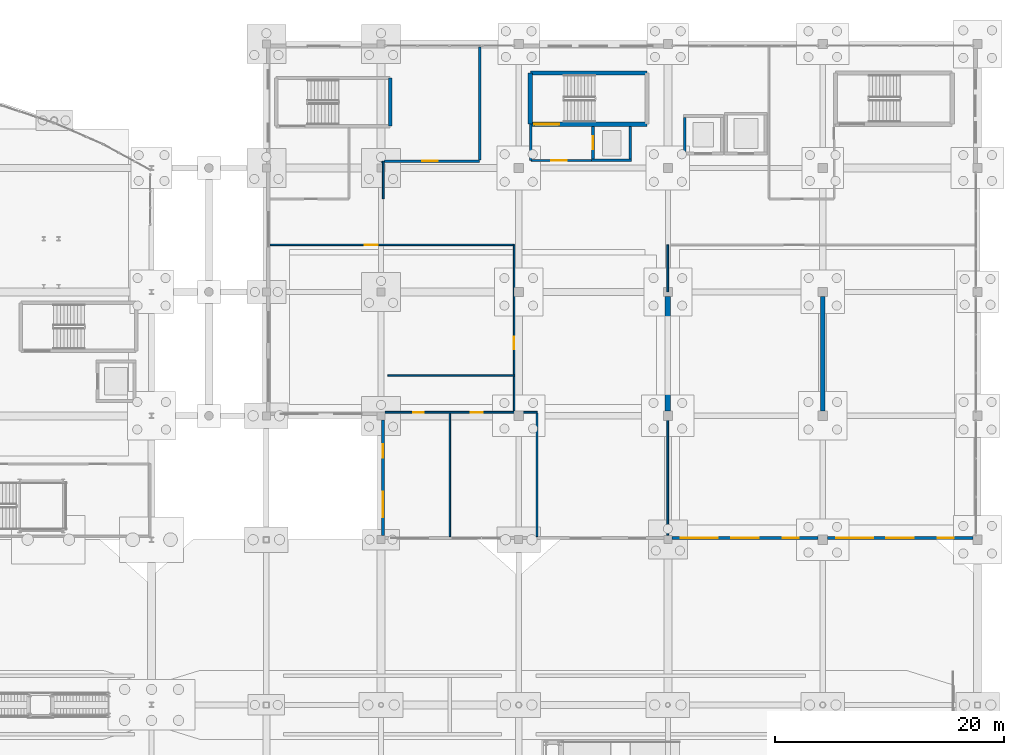
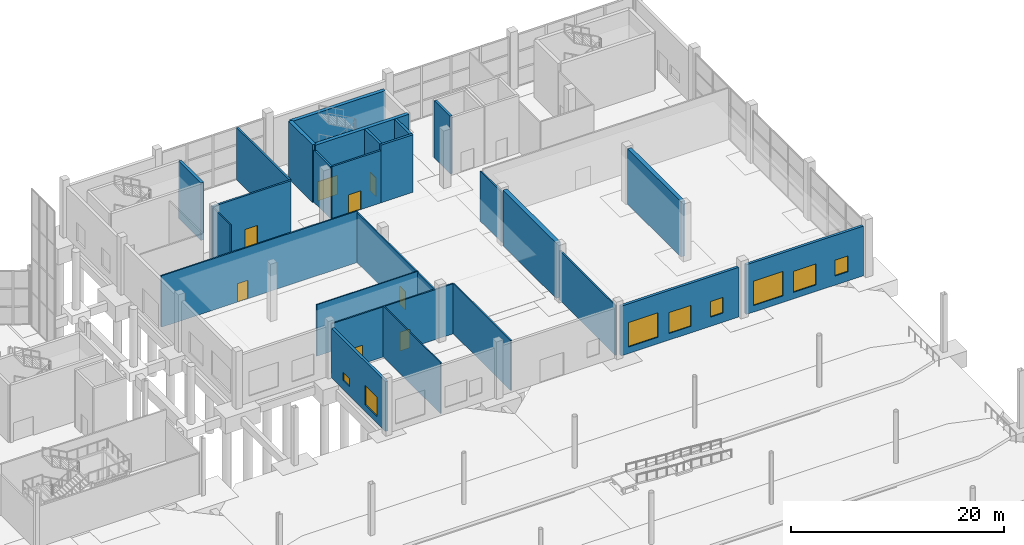
# One storey, part 94 of 115: 26 walls, 8 doors, 8 windows, 16 openings.
"""IFC4 building model written with IfcOpenShell, lengths in metres."""

from ifc_helpers import new_model, si_unit, direction, frame, frame_2d, origin, place, context, subcontext, project, spatial, rectangle, extrude, material, layer, layer_set, type_object, element, fill, save


model = new_model("IFC4")

# Units and contexts
model_context = context("Model", 3, precision=1e-05, world=origin(), true_north=direction((0.0, 1.0)))
body_context = subcontext(model_context, "Body", "Model", "MODEL_VIEW")
ifc_project = project(units=[si_unit("LENGTHUNIT", "METRE"), si_unit("AREAUNIT", "SQUARE_METRE"), si_unit("VOLUMEUNIT", "CUBIC_METRE"), si_unit("PLANEANGLEUNIT", "RADIAN"), si_unit("MASSUNIT", "GRAM", prefix="KILO")], contexts=[model_context])

# Site, building, storey
site_placement = place(None, origin())
site = spatial("IfcSite", under=ifc_project, at=site_placement, CompositionType="ELEMENT")
building_placement = place(site_placement, origin())
building = spatial("IfcBuilding", under=site, at=building_placement, Name="Tamarisk Ironworks Central Station", CompositionType="ELEMENT")
storey_placement = place(building_placement, origin())
storey = spatial("IfcBuildingStorey", under=building, at=storey_placement, Name="L00", CompositionType="ELEMENT", Elevation=0.0)

# Wall, openings, windows
ifc_material_1 = material(Name="Clay facing brickwork and mortar", Category="masonry")
ifc_layer_1 = layer(ifc_material_1, 0.280029296875)
ifc_layer_set_1 = layer_set([ifc_layer_1], Name="Clay facing brickwork and mortar")
wall_type_1 = type_object("IfcWallType", Name="WL-BR280", PredefinedType="STANDARD", material=ifc_layer_set_1)
wall_1_placement = place(storey_placement, frame((153.347900390625, 79.340087890625, 0.0), z_axis=(0.0, 0.0, 1.0), x_axis=(1.0, 0.0, 0.0)))
wall_1 = element("IfcWall", 1, at=wall_1_placement, inside=storey, type_object=wall_type_1, Name="L00 brick facade wall 0047", PredefinedType="STANDARD", context=body_context, shape_type="SweptSolid", body=[
    extrude(rectangle(XDim=12.754150390625, YDim=0.280029296875, at=frame_2d((6.376953125, 0.0))), origin(), (0.0, 0.0, 1.0), 5.68994140625),
])
opening_1_placement = place(wall_1_placement, frame((0.7919921875, 0.0, 0.75)))
opening_1 = element("IfcOpeningElement", 2, at=opening_1_placement, cuts=wall_1, Name="Opening W02", PredefinedType="OPENING", context=body_context, shape_type="SweptSolid", body=[
    extrude(rectangle(XDim=3.199951171875, YDim=2.800048828125, at=frame_2d((1.60009765625, 1.39990234375))), frame((0.0, 0.15185546875, 0.0), z_axis=(0.0, -1.0, 0.0), x_axis=(1.0, 0.0, 0.0)), (0.0, 0.0, 1.0), 0.303955078125),
])
opening_2_placement = place(wall_1_placement, frame((5.177001953125, 0.0, 0.75)))
opening_2 = element("IfcOpeningElement", 3, at=opening_2_placement, cuts=wall_1, Name="Opening W06", PredefinedType="OPENING", context=body_context, shape_type="SweptSolid", body=[
    extrude(rectangle(XDim=2.39990234375, YDim=2.39990234375, at=frame_2d((1.199951171875, 1.199951171875))), frame((0.0, 0.15185546875, 0.0), z_axis=(0.0, -1.0, 0.0), x_axis=(1.0, 0.0, 0.0)), (0.0, 0.0, 1.0), 0.303955078125),
])
opening_3_placement = place(wall_1_placement, frame((9.662109375, 0.0, 1.050048828125)))
opening_3 = element("IfcOpeningElement", 4, at=opening_3_placement, cuts=wall_1, Name="Opening W12", PredefinedType="OPENING", context=body_context, shape_type="SweptSolid", body=[
    extrude(rectangle(XDim=1.39990234375, YDim=1.800048828125, at=frame_2d((0.699951171875, 0.89990234375))), frame((0.0, 0.15185546875, 0.0), z_axis=(0.0, -1.0, 0.0), x_axis=(1.0, 0.0, 0.0)), (0.0, 0.0, 1.0), 0.303955078125),
])
ifc_material_2 = material(Name="Laminated solar-control low-E glass", Category="glass")
window_type_1 = type_object("IfcWindowType", Name="WN-02", PartitioningType="SINGLE_PANEL", PredefinedType="WINDOW", material=ifc_material_2)
window_1_placement = place(opening_1_placement, origin())
window_1 = element("IfcWindow", 5, at=window_1_placement, inside=storey, type_object=window_type_1, Name="L00 exterior window 0062", OverallHeight=2.800048828125, OverallWidth=3.199951171875, PartitioningType="DOUBLE_PANEL_VERTICAL", PredefinedType="WINDOW", context=body_context, shape_type="SweptSolid", body=[
    extrude(rectangle(XDim=3.199951171875, YDim=2.800048828125, at=frame_2d((1.60009765625, 1.39990234375))), frame((0.0, 0.030029296875, 0.0), z_axis=(0.0, -1.0, 0.0), x_axis=(1.0, 0.0, 0.0)), (0.0, 0.0, 1.0), 0.06005859375),
])
fill(opening_1, window_1)
window_type_2 = type_object("IfcWindowType", Name="WN-06", PartitioningType="SINGLE_PANEL", PredefinedType="WINDOW", material=ifc_material_2)
window_2_placement = place(opening_2_placement, origin())
window_2 = element("IfcWindow", 6, at=window_2_placement, inside=storey, type_object=window_type_2, Name="L00 exterior window 0063", OverallHeight=2.39990234375, OverallWidth=2.39990234375, PartitioningType="DOUBLE_PANEL_VERTICAL", PredefinedType="WINDOW", context=body_context, shape_type="SweptSolid", body=[
    extrude(rectangle(XDim=2.39990234375, YDim=2.39990234375, at=frame_2d((1.199951171875, 1.199951171875))), frame((0.0, 0.030029296875, 0.0), z_axis=(0.0, -1.0, 0.0), x_axis=(1.0, 0.0, 0.0)), (0.0, 0.0, 1.0), 0.06005859375),
])
fill(opening_2, window_2)
window_type_3 = type_object("IfcWindowType", Name="WN-12", PartitioningType="SINGLE_PANEL", PredefinedType="WINDOW", material=ifc_material_2)
window_3_placement = place(opening_3_placement, origin())
window_3 = element("IfcWindow", 7, at=window_3_placement, inside=storey, type_object=window_type_3, Name="L00 exterior window 0064", OverallHeight=1.800048828125, OverallWidth=1.39990234375, PartitioningType="DOUBLE_PANEL_VERTICAL", PredefinedType="WINDOW", context=body_context, shape_type="SweptSolid", body=[
    extrude(rectangle(XDim=1.39990234375, YDim=1.800048828125, at=frame_2d((0.699951171875, 0.89990234375))), frame((0.0, 0.030029296875, 0.0), z_axis=(0.0, -1.0, 0.0), x_axis=(1.0, 0.0, 0.0)), (0.0, 0.0, 1.0), 0.06005859375),
])
fill(opening_3, window_3)

wall_2_placement = place(storey_placement, frame((166.89794921875, 79.340087890625, 0.0), z_axis=(0.0, 0.0, 1.0), x_axis=(1.0, 0.0, 0.0)))
wall_2 = element("IfcWall", 8, at=wall_2_placement, inside=storey, type_object=wall_type_1, Name="L00 brick facade wall 0048", PredefinedType="STANDARD", context=body_context, shape_type="SweptSolid", body=[
    extrude(rectangle(XDim=12.7041015625, YDim=0.280029296875, at=frame_2d((6.35205078125, 0.0))), origin(), (0.0, 0.0, 1.0), 5.68994140625),
])
opening_4_placement = place(wall_2_placement, frame((0.783935546875, 0.0, 0.75)))
opening_4 = element("IfcOpeningElement", 9, at=opening_4_placement, cuts=wall_2, Name="Opening W02", PredefinedType="OPENING", context=body_context, shape_type="SweptSolid", body=[
    extrude(rectangle(XDim=3.199951171875, YDim=2.800048828125, at=frame_2d((1.60009765625, 1.39990234375))), frame((0.0, 0.15185546875, 0.0), z_axis=(0.0, -1.0, 0.0), x_axis=(1.0, 0.0, 0.0)), (0.0, 0.0, 1.0), 0.303955078125),
])
opening_5_placement = place(wall_2_placement, frame((5.152099609375, 0.0, 0.75)))
opening_5 = element("IfcOpeningElement", 10, at=opening_5_placement, cuts=wall_2, Name="Opening W06", PredefinedType="OPENING", context=body_context, shape_type="SweptSolid", body=[
    extrude(rectangle(XDim=2.39990234375, YDim=2.39990234375, at=frame_2d((1.199951171875, 1.199951171875))), frame((0.0, 0.15185546875, 0.0), z_axis=(0.0, -1.0, 0.0), x_axis=(1.0, 0.0, 0.0)), (0.0, 0.0, 1.0), 0.303955078125),
])
opening_6_placement = place(wall_2_placement, frame((9.6201171875, 0.0, 1.050048828125)))
opening_6 = element("IfcOpeningElement", 11, at=opening_6_placement, cuts=wall_2, Name="Opening W12", PredefinedType="OPENING", context=body_context, shape_type="SweptSolid", body=[
    extrude(rectangle(XDim=1.39990234375, YDim=1.800048828125, at=frame_2d((0.699951171875, 0.89990234375))), frame((0.0, 0.15185546875, 0.0), z_axis=(0.0, -1.0, 0.0), x_axis=(1.0, 0.0, 0.0)), (0.0, 0.0, 1.0), 0.303955078125),
])
window_4_placement = place(opening_4_placement, origin())
window_4 = element("IfcWindow", 12, at=window_4_placement, inside=storey, type_object=window_type_1, Name="L00 exterior window 0065", OverallHeight=2.800048828125, OverallWidth=3.199951171875, PartitioningType="DOUBLE_PANEL_VERTICAL", PredefinedType="WINDOW", context=body_context, shape_type="SweptSolid", body=[
    extrude(rectangle(XDim=3.199951171875, YDim=2.800048828125, at=frame_2d((1.60009765625, 1.39990234375))), frame((0.0, 0.030029296875, 0.0), z_axis=(0.0, -1.0, 0.0), x_axis=(1.0, 0.0, 0.0)), (0.0, 0.0, 1.0), 0.06005859375),
])
fill(opening_4, window_4)
window_5_placement = place(opening_5_placement, origin())
window_5 = element("IfcWindow", 13, at=window_5_placement, inside=storey, type_object=window_type_2, Name="L00 exterior window 0066", OverallHeight=2.39990234375, OverallWidth=2.39990234375, PartitioningType="DOUBLE_PANEL_VERTICAL", PredefinedType="WINDOW", context=body_context, shape_type="SweptSolid", body=[
    extrude(rectangle(XDim=2.39990234375, YDim=2.39990234375, at=frame_2d((1.199951171875, 1.199951171875))), frame((0.0, 0.030029296875, 0.0), z_axis=(0.0, -1.0, 0.0), x_axis=(1.0, 0.0, 0.0)), (0.0, 0.0, 1.0), 0.06005859375),
])
fill(opening_5, window_5)
window_6_placement = place(opening_6_placement, origin())
window_6 = element("IfcWindow", 14, at=window_6_placement, inside=storey, type_object=window_type_3, Name="L00 exterior window 0067", OverallHeight=1.800048828125, OverallWidth=1.39990234375, PartitioningType="DOUBLE_PANEL_VERTICAL", PredefinedType="WINDOW", context=body_context, shape_type="SweptSolid", body=[
    extrude(rectangle(XDim=1.39990234375, YDim=1.800048828125, at=frame_2d((0.699951171875, 0.89990234375))), frame((0.0, 0.030029296875, 0.0), z_axis=(0.0, -1.0, 0.0), x_axis=(1.0, 0.0, 0.0)), (0.0, 0.0, 1.0), 0.06005859375),
])
fill(opening_6, window_6)

wall_3_placement = place(storey_placement, frame((128.169921875, 79.548095703125, 0.0), z_axis=(0.0, 0.0, 1.0), x_axis=(0.0, 1.0, 0.0)))
wall_3 = element("IfcWall", 15, at=wall_3_placement, inside=storey, type_object=wall_type_1, Name="L00 brick facade wall 0053", PredefinedType="STANDARD", context=body_context, shape_type="SweptSolid", body=[
    extrude(rectangle(XDim=10.10400390625, YDim=0.280029296875, at=frame_2d((5.052001953125, 0.0))), origin(), (0.0, 0.0, 1.0), 5.68994140625),
])
opening_7_placement = place(wall_3_placement, frame((1.6259765625, 0.0, 0.75)))
opening_7 = element("IfcOpeningElement", 16, at=opening_7_placement, cuts=wall_3, Name="Opening W07", PredefinedType="OPENING", context=body_context, shape_type="SweptSolid", body=[
    extrude(rectangle(XDim=2.199951171875, YDim=2.199951171875, at=frame_2d((1.10009765625, 1.10009765625))), frame((0.0, 0.15185546875, 0.0), z_axis=(0.0, -1.0, 0.0), x_axis=(1.0, 0.0, 0.0)), (0.0, 0.0, 1.0), 0.303955078125),
])
opening_8_placement = place(wall_3_placement, frame((6.778076171875, 0.0, 1.050048828125)))
opening_8 = element("IfcOpeningElement", 17, at=opening_8_placement, cuts=wall_3, Name="Opening W19", PredefinedType="OPENING", context=body_context, shape_type="SweptSolid", body=[
    extrude(rectangle(XDim=1.199951171875, YDim=0.89990234375, at=frame_2d((0.60009765625, 0.449951171875))), frame((0.0, 0.15185546875, 0.0), z_axis=(0.0, -1.0, 0.0), x_axis=(1.0, 0.0, 0.0)), (0.0, 0.0, 1.0), 0.303955078125),
])
window_type_4 = type_object("IfcWindowType", Name="WN-07", PartitioningType="SINGLE_PANEL", PredefinedType="WINDOW", material=ifc_material_2)
window_7_placement = place(opening_7_placement, origin())
window_7 = element("IfcWindow", 18, at=window_7_placement, inside=storey, type_object=window_type_4, Name="L00 exterior window 0074", OverallHeight=2.199951171875, OverallWidth=2.199951171875, PartitioningType="DOUBLE_PANEL_VERTICAL", PredefinedType="WINDOW", context=body_context, shape_type="SweptSolid", body=[
    extrude(rectangle(XDim=2.199951171875, YDim=2.199951171875, at=frame_2d((1.10009765625, 1.10009765625))), frame((0.0, 0.030029296875, 0.0), z_axis=(0.0, -1.0, 0.0), x_axis=(1.0, 0.0, 0.0)), (0.0, 0.0, 1.0), 0.06005859375),
])
fill(opening_7, window_7)
window_type_5 = type_object("IfcWindowType", Name="WN-19", PartitioningType="SINGLE_PANEL", PredefinedType="WINDOW", material=ifc_material_2)
window_8_placement = place(opening_8_placement, origin())
window_8 = element("IfcWindow", 19, at=window_8_placement, inside=storey, type_object=window_type_5, Name="L00 exterior window 0075", OverallHeight=0.89990234375, OverallWidth=1.199951171875, PartitioningType="DOUBLE_PANEL_VERTICAL", PredefinedType="WINDOW", context=body_context, shape_type="SweptSolid", body=[
    extrude(rectangle(XDim=1.199951171875, YDim=0.89990234375, at=frame_2d((0.60009765625, 0.449951171875))), frame((0.0, 0.030029296875, 0.0), z_axis=(0.0, -1.0, 0.0), x_axis=(1.0, 0.0, 0.0)), (0.0, 0.0, 1.0), 0.06005859375),
])
fill(opening_8, window_8)

# Wall
ifc_material_3 = material(Name="Concrete C50/60", Category="concrete")
ifc_layer_2 = layer(ifc_material_3, 0.300048828125)
ifc_layer_set_2 = layer_set([ifc_layer_2], Name="Concrete C50/60")
wall_type_2 = type_object("IfcWallType", Name="WL-CW300", PredefinedType="SOLIDWALL", material=ifc_layer_set_2)
wall_4_placement = place(storey_placement, frame((128.794921875, 115.2548828125, 0.0), z_axis=(0.0, 0.0, 1.0), x_axis=(0.0, 1.0, 0.0)))
element("IfcWall", 20, at=wall_4_placement, inside=storey, type_object=wall_type_2, Name="ST-C5 core wall F (L00)", PredefinedType="SOLIDWALL", context=body_context, shape_type="SweptSolid", body=[
    extrude(rectangle(XDim=4.190185546875, YDim=0.300048828125, at=frame_2d((2.09521484375, 0.0))), origin(), (0.0, 0.0, 1.0), 6.60009765625),
])

# Wall, opening, door
ifc_layer_3 = layer(ifc_material_3, 0.3798828125)
ifc_layer_set_3 = layer_set([ifc_layer_3], Name="Concrete C50/60")
wall_type_3 = type_object("IfcWallType", Name="WL-CW380", PredefinedType="SOLIDWALL", material=ifc_layer_set_3)
wall_5_placement = place(storey_placement, frame((141.014892578125, 115.4150390625, 0.0), z_axis=(0.0, 0.0, 1.0), x_axis=(1.0, 0.0, 0.0)))
wall_5 = element("IfcWall", 21, at=wall_5_placement, inside=storey, type_object=wall_type_3, Name="ST-C1 core wall L (L00)", PredefinedType="SOLIDWALL", context=body_context, shape_type="SweptSolid", body=[
    extrude(rectangle(XDim=10.170166015625, YDim=0.3798828125, at=frame_2d((5.0849609375, 0.0))), origin(), (0.0, 0.0, 1.0), 6.60009765625),
])
opening_9_placement = place(wall_5_placement, frame((0.35009765625, 0.0, 0.0048828125)))
opening_9 = element("IfcOpeningElement", 22, at=opening_9_placement, cuts=wall_5, Name="Opening FD01", PredefinedType="OPENING", context=body_context, shape_type="SweptSolid", body=[
    extrude(rectangle(XDim=2.14990234375, YDim=2.199951171875, at=frame_2d((1.074951171875, 1.10009765625))), frame((0.0, 0.201904296875, 0.0), z_axis=(0.0, -1.0, 0.0), x_axis=(1.0, 0.0, 0.0)), (0.0, 0.0, 1.0), 0.40380859375),
])
ifc_material_4 = material(Name="Galvanised hollow-metal door steel", Category="steel")
door_type_1 = type_object("IfcDoorType", Name="DR-FD01", OperationType="NOTDEFINED", PredefinedType="DOOR", material=ifc_material_4)
door_1_placement = place(opening_9_placement, origin())
door_1 = element("IfcDoor", 23, at=door_1_placement, inside=storey, type_object=door_type_1, Name="ST-C1 fire stair door (L00)", OperationType="SINGLE_SWING_LEFT", OverallHeight=2.199951171875, OverallWidth=2.14990234375, PredefinedType="DOOR", context=body_context, shape_type="SweptSolid", body=[
    extrude(rectangle(XDim=2.14990234375, YDim=2.199951171875, at=frame_2d((1.074951171875, 1.10009765625))), frame((0.0, 0.02490234375, 0.0), z_axis=(0.0, -1.0, 0.0), x_axis=(1.0, 0.0, 0.0)), (0.0, 0.0, 1.0), 0.050048828125),
])
fill(opening_9, door_1)

# Walls
wall_6_placement = place(storey_placement, frame((141.014892578125, 119.885009765625, 0.0), z_axis=(0.0, 0.0, 1.0), x_axis=(1.0, 0.0, 0.0)))
element("IfcWall", 24, at=wall_6_placement, inside=storey, type_object=wall_type_3, Name="ST-C1 core wall R (L00)", PredefinedType="SOLIDWALL", context=body_context, shape_type="SweptSolid", body=[
    extrude(rectangle(XDim=10.170166015625, YDim=0.3798828125, at=frame_2d((5.0849609375, 0.0))), origin(), (0.0, 0.0, 1.0), 6.60009765625),
])
wall_7_placement = place(storey_placement, frame((141.014892578125, 115.4150390625, 0.0), z_axis=(0.0, 0.0, 1.0), x_axis=(0.0, 1.0, 0.0)))
element("IfcWall", 25, at=wall_7_placement, inside=storey, type_object=wall_type_3, Name="ST-C1 core wall N (L00)", PredefinedType="SOLIDWALL", context=body_context, shape_type="SweptSolid", body=[
    extrude(rectangle(XDim=4.469970703125, YDim=0.3798828125, at=frame_2d((2.23486328125, 0.0))), origin(), (0.0, 0.0, 1.0), 6.60009765625),
])
ifc_material_5 = material(Name="Gypsum plasterboard acoustic partition")
ifc_layer_4 = layer(ifc_material_5, 0.1201171875)
ifc_layer_set_4 = layer_set([ifc_layer_4], Name="Gypsum plasterboard acoustic partition")
wall_type_4 = type_object("IfcWallType", Name="WL-PT120", PredefinedType="PARTITIONING", material=ifc_layer_set_4)
wall_8_placement = place(storey_placement, frame((128.60009765625, 93.5, 0.0), z_axis=(0.0, 0.0, 1.0), x_axis=(1.0, 0.0, 0.0)))
element("IfcWall", 26, at=wall_8_placement, inside=storey, type_object=wall_type_4, Name="L00 interior partition 0066", PredefinedType="PARTITIONING", context=body_context, shape_type="SweptSolid", body=[
    extrude(rectangle(XDim=11.0, YDim=0.1201171875, at=frame_2d((5.5, 0.0))), origin(), (0.0, 0.0, 1.0), 5.889892578125),
])
wall_9_placement = place(storey_placement, frame((134.0, 79.47802734375, 0.0), z_axis=(0.0, 0.0, 1.0), x_axis=(0.0, 1.0, 0.0)))
element("IfcWall", 27, at=wall_9_placement, inside=storey, type_object=wall_type_4, Name="L00 interior partition 0069", PredefinedType="PARTITIONING", context=body_context, shape_type="SweptSolid", body=[
    extrude(rectangle(XDim=10.7490234375, YDim=0.1201171875, at=frame_2d((5.37451171875, 0.0))), origin(), (0.0, 0.0, 1.0), 5.840087890625),
])

# Wall, opening, door
ifc_layer_5 = layer(ifc_material_5, 0.14990234375)
ifc_layer_set_5 = layer_set([ifc_layer_5], Name="Gypsum plasterboard acoustic partition")
wall_type_5 = type_object("IfcWallType", Name="WL-PT150", PredefinedType="PARTITIONING", material=ifc_layer_set_5)
wall_10_placement = place(storey_placement, frame((118.337890625, 104.89990234375, 0.0), z_axis=(0.0, 0.0, 1.0), x_axis=(1.0, 0.0, 0.0)))
wall_10 = element("IfcWall", 28, at=wall_10_placement, inside=storey, type_object=wall_type_5, Name="L00 interior partition 0058", PredefinedType="PARTITIONING", context=body_context, shape_type="SweptSolid", body=[
    extrude(rectangle(XDim=21.26220703125, YDim=0.14990234375, at=frame_2d((10.631103515625, 0.0))), origin(), (0.0, 0.0, 1.0), 5.889892578125),
])
opening_10_placement = place(wall_10_placement, frame((8.261962890625, 0.0, 0.0048828125)))
opening_10 = element("IfcOpeningElement", 29, at=opening_10_placement, cuts=wall_10, Name="Opening D05", PredefinedType="OPENING", context=body_context, shape_type="SweptSolid", body=[
    extrude(rectangle(XDim=1.10009765625, YDim=2.10009765625, at=frame_2d((0.550048828125, 1.050048828125))), frame((0.0, 0.0869140625, 0.0), z_axis=(0.0, -1.0, 0.0), x_axis=(1.0, 0.0, 0.0)), (0.0, 0.0, 1.0), 0.173828125),
])
ifc_material_6 = material(Name="FSC certified tropical hardwood timber", Category="wood")
door_type_2 = type_object("IfcDoorType", Name="DR-ID05", OperationType="NOTDEFINED", PredefinedType="DOOR", material=ifc_material_6)
door_2_placement = place(opening_10_placement, origin())
door_2 = element("IfcDoor", 30, at=door_2_placement, inside=storey, type_object=door_type_2, Name="L00 room door 0045", OperationType="SINGLE_SWING_LEFT", OverallHeight=2.10009765625, OverallWidth=1.10009765625, PredefinedType="DOOR", context=body_context, shape_type="SweptSolid", body=[
    extrude(rectangle(XDim=1.10009765625, YDim=2.10009765625, at=frame_2d((0.550048828125, 1.050048828125))), frame((0.0, 0.02490234375, 0.0), z_axis=(0.0, -1.0, 0.0), x_axis=(1.0, 0.0, 0.0)), (0.0, 0.0, 1.0), 0.050048828125),
])
fill(opening_10, door_2)

# Wall
wall_11_placement = place(storey_placement, frame((128.199951171875, 108.89990234375, 0.0), z_axis=(0.0, 0.0, 1.0), x_axis=(0.0, 1.0, 0.0)))
element("IfcWall", 31, at=wall_11_placement, inside=storey, type_object=wall_type_5, Name="L00 interior partition 0065", PredefinedType="PARTITIONING", context=body_context, shape_type="SweptSolid", body=[
    extrude(rectangle(XDim=3.300048828125, YDim=0.14990234375, at=frame_2d((1.64990234375, 0.0))), origin(), (0.0, 0.0, 1.0), 5.840087890625),
])

# Wall, opening, door
wall_12_placement = place(storey_placement, frame((139.60009765625, 90.300048828125, 0.0), z_axis=(0.0, 0.0, 1.0), x_axis=(0.0, 1.0, 0.0)))
wall_12 = element("IfcWall", 32, at=wall_12_placement, inside=storey, type_object=wall_type_5, Name="L00 interior partition 0067", PredefinedType="PARTITIONING", context=body_context, shape_type="SweptSolid", body=[
    extrude(rectangle(XDim=14.599853515625, YDim=0.14990234375, at=frame_2d((7.2998046875, 0.0))), origin(), (0.0, 0.0, 1.0), 5.739990234375),
])
opening_11_placement = place(wall_12_placement, frame((5.5, 0.0, 0.0048828125)))
opening_11 = element("IfcOpeningElement", 33, at=opening_11_placement, cuts=wall_12, Name="Opening D05", PredefinedType="OPENING", context=body_context, shape_type="SweptSolid", body=[
    extrude(rectangle(XDim=1.10009765625, YDim=2.10009765625, at=frame_2d((0.550048828125, 1.050048828125))), frame((0.0, 0.0869140625, 0.0), z_axis=(0.0, -1.0, 0.0), x_axis=(1.0, 0.0, 0.0)), (0.0, 0.0, 1.0), 0.173828125),
])
door_3_placement = place(opening_11_placement, origin())
door_3 = element("IfcDoor", 34, at=door_3_placement, inside=storey, type_object=door_type_2, Name="L00 room door 0050", OperationType="SINGLE_SWING_LEFT", OverallHeight=2.10009765625, OverallWidth=1.10009765625, PredefinedType="DOOR", context=body_context, shape_type="SweptSolid", body=[
    extrude(rectangle(XDim=1.10009765625, YDim=2.10009765625, at=frame_2d((0.550048828125, 1.050048828125))), frame((0.0, 0.02490234375, 0.0), z_axis=(0.0, -1.0, 0.0), x_axis=(1.0, 0.0, 0.0)), (0.0, 0.0, 1.0), 0.050048828125),
])
fill(opening_11, door_3)

# Wall, openings, doors
wall_13_placement = place(storey_placement, frame((128.347900390625, 90.300048828125, 0.0), z_axis=(0.0, 0.0, 1.0), x_axis=(1.0, 0.0, 0.0)))
wall_13 = element("IfcWall", 35, at=wall_13_placement, inside=storey, type_object=wall_type_5, Name="L00 interior partition 0068", PredefinedType="PARTITIONING", context=body_context, shape_type="SweptSolid", body=[
    extrude(rectangle(XDim=13.252197265625, YDim=0.14990234375, at=frame_2d((6.6259765625, 0.0))), origin(), (0.0, 0.0, 1.0), 5.739990234375),
])
opening_12_placement = place(wall_13_placement, frame((2.451904296875, 0.0, 0.0048828125)))
opening_12 = element("IfcOpeningElement", 36, at=opening_12_placement, cuts=wall_13, Name="Opening WC01", PredefinedType="OPENING", context=body_context, shape_type="SweptSolid", body=[
    extrude(rectangle(XDim=0.919921875, YDim=2.1201171875, at=frame_2d((0.4599609375, 1.06005859375))), frame((0.0, 0.0869140625, 0.0), z_axis=(0.0, -1.0, 0.0), x_axis=(1.0, 0.0, 0.0)), (0.0, 0.0, 1.0), 0.173828125),
])
opening_13_placement = place(wall_13_placement, frame((7.451904296875, 0.0, 0.0048828125)))
opening_13 = element("IfcOpeningElement", 37, at=opening_13_placement, cuts=wall_13, Name="Opening WC02", PredefinedType="OPENING", context=body_context, shape_type="SweptSolid", body=[
    extrude(rectangle(XDim=1.050048828125, YDim=2.14990234375, at=frame_2d((0.52490234375, 1.074951171875))), frame((0.0, 0.0869140625, 0.0), z_axis=(0.0, -1.0, 0.0), x_axis=(1.0, 0.0, 0.0)), (0.0, 0.0, 1.0), 0.173828125),
])
door_type_3 = type_object("IfcDoorType", Name="DR-WC01", OperationType="NOTDEFINED", PredefinedType="DOOR", material=ifc_material_6)
door_4_placement = place(opening_12_placement, origin())
door_4 = element("IfcDoor", 38, at=door_4_placement, inside=storey, type_object=door_type_3, Name="L00 room door 0051", OperationType="SINGLE_SWING_LEFT", OverallHeight=2.1201171875, OverallWidth=0.919921875, PredefinedType="DOOR", context=body_context, shape_type="SweptSolid", body=[
    extrude(rectangle(XDim=0.919921875, YDim=2.1201171875, at=frame_2d((0.4599609375, 1.06005859375))), frame((0.0, 0.02490234375, 0.0), z_axis=(0.0, -1.0, 0.0), x_axis=(1.0, 0.0, 0.0)), (0.0, 0.0, 1.0), 0.050048828125),
])
fill(opening_12, door_4)
door_type_4 = type_object("IfcDoorType", Name="DR-WC02", OperationType="NOTDEFINED", PredefinedType="DOOR", material=ifc_material_6)
door_5_placement = place(opening_13_placement, origin())
door_5 = element("IfcDoor", 39, at=door_5_placement, inside=storey, type_object=door_type_4, Name="L00 room door 0052", OperationType="SINGLE_SWING_RIGHT", OverallHeight=2.14990234375, OverallWidth=1.050048828125, PredefinedType="DOOR", context=body_context, shape_type="SweptSolid", body=[
    extrude(rectangle(XDim=1.050048828125, YDim=2.14990234375, at=frame_2d((0.52490234375, 1.074951171875))), frame((0.0, 0.02490234375, 0.0), z_axis=(0.0, -1.0, 0.0), x_axis=(1.0, 0.0, 0.0)), (0.0, 0.0, 1.0), 0.050048828125),
])
fill(opening_13, door_5)

# Walls
wall_14_placement = place(storey_placement, frame((141.60009765625, 79.47802734375, 0.0), z_axis=(0.0, 0.0, 1.0), x_axis=(0.0, 1.0, 0.0)))
element("IfcWall", 40, at=wall_14_placement, inside=storey, type_object=wall_type_5, Name="L00 interior partition 0070", PredefinedType="PARTITIONING", context=body_context, shape_type="SweptSolid", body=[
    extrude(rectangle(XDim=10.7490234375, YDim=0.14990234375, at=frame_2d((5.37451171875, 0.0))), origin(), (0.0, 0.0, 1.0), 5.739990234375),
])
wall_15_placement = place(storey_placement, frame((153.0, 79.548095703125, 0.0), z_axis=(0.0, 0.0, 1.0), x_axis=(0.0, 1.0, 0.0)))
element("IfcWall", 41, at=wall_15_placement, inside=storey, type_object=wall_type_5, Name="L00 interior partition 0071", PredefinedType="PARTITIONING", context=body_context, shape_type="SweptSolid", body=[
    extrude(rectangle(XDim=10.451904296875, YDim=0.14990234375, at=frame_2d((5.22607421875, 0.0))), origin(), (0.0, 0.0, 1.0), 5.68994140625),
])
wall_16_placement = place(storey_placement, frame((153.0, 100.800048828125, 0.0), z_axis=(0.0, 0.0, 1.0), x_axis=(0.0, 1.0, 0.0)))
element("IfcWall", 42, at=wall_16_placement, inside=storey, type_object=wall_type_5, Name="L00 interior partition 0072", PredefinedType="PARTITIONING", context=body_context, shape_type="SweptSolid", body=[
    extrude(rectangle(XDim=4.099853515625, YDim=0.14990234375, at=frame_2d((2.0498046875, 0.0))), origin(), (0.0, 0.0, 1.0), 5.739990234375),
])

# Wall, opening, door
ifc_layer_6 = layer(ifc_material_1, 0.199951171875)
ifc_layer_set_6 = layer_set([ifc_layer_6], Name="Clay facing brickwork and mortar")
wall_type_6 = type_object("IfcWallType", Name="WL-PT200", PredefinedType="PARTITIONING", material=ifc_layer_set_6)
wall_17_placement = place(storey_placement, frame((141.050048828125, 112.25, 0.0), z_axis=(0.0, 0.0, 1.0), x_axis=(1.0, 0.0, 0.0)))
wall_17 = element("IfcWall", 43, at=wall_17_placement, inside=storey, type_object=wall_type_6, Name="Firefighting lift lobby south wall (L00)", PredefinedType="PARTITIONING", context=body_context, shape_type="SweptSolid", body=[
    extrude(rectangle(XDim=5.300048828125, YDim=0.199951171875, at=frame_2d((2.64990234375, 0.0))), origin(), (0.0, 0.0, 1.0), 6.0),
])
opening_14_placement = place(wall_17_placement, frame((1.800048828125, 0.0, 0.0048828125)))
opening_14 = element("IfcOpeningElement", 44, at=opening_14_placement, cuts=wall_17, Name="Opening FD05", PredefinedType="OPENING", context=body_context, shape_type="SweptSolid", body=[
    extrude(rectangle(XDim=1.35009765625, YDim=2.14990234375, at=frame_2d((0.675048828125, 1.074951171875))), frame((0.0, 0.11181640625, 0.0), z_axis=(0.0, -1.0, 0.0), x_axis=(1.0, 0.0, 0.0)), (0.0, 0.0, 1.0), 0.223876953125),
])
door_type_5 = type_object("IfcDoorType", Name="DR-FD05", OperationType="NOTDEFINED", PredefinedType="DOOR", material=ifc_material_4)
door_6_placement = place(opening_14_placement, origin())
door_6 = element("IfcDoor", 45, at=door_6_placement, inside=storey, type_object=door_type_5, Name="Firefighting lift lobby fire door (L00)", OperationType="SINGLE_SWING_LEFT", OverallHeight=2.14990234375, OverallWidth=1.35009765625, PredefinedType="DOOR", context=body_context, shape_type="SweptSolid", body=[
    extrude(rectangle(XDim=1.35009765625, YDim=2.14990234375, at=frame_2d((0.675048828125, 1.074951171875))), frame((0.0, 0.02490234375, 0.0), z_axis=(0.0, -1.0, 0.0), x_axis=(1.0, 0.0, 0.0)), (0.0, 0.0, 1.0), 0.050048828125),
])
fill(opening_14, door_6)

# Wall
wall_18_placement = place(storey_placement, frame((141.050048828125, 112.25, 0.0), z_axis=(0.0, 0.0, 1.0), x_axis=(0.0, 1.0, 0.0)))
element("IfcWall", 46, at=wall_18_placement, inside=storey, type_object=wall_type_6, Name="Firefighting lift lobby west wall (L00)", PredefinedType="PARTITIONING", context=body_context, shape_type="SweptSolid", body=[
    extrude(rectangle(XDim=3.199951171875, YDim=0.199951171875, at=frame_2d((1.60009765625, 0.0))), origin(), (0.0, 0.0, 1.0), 6.0),
])

# Wall, opening, door
wall_19_placement = place(storey_placement, frame((128.0, 112.199951171875, 0.0), z_axis=(0.0, 0.0, 1.0), x_axis=(1.0, 0.0, 0.0)))
wall_19 = element("IfcWall", 47, at=wall_19_placement, inside=storey, type_object=wall_type_6, Name="L00 interior partition 0001", PredefinedType="PARTITIONING", context=body_context, shape_type="SweptSolid", body=[
    extrude(rectangle(XDim=8.60009765625, YDim=0.199951171875, at=frame_2d((4.300048828125, 0.0))), origin(), (0.0, 0.0, 1.0), 6.0),
])
opening_15_placement = place(wall_19_placement, frame((3.60009765625, 0.0, 0.0048828125)))
opening_15 = element("IfcOpeningElement", 48, at=opening_15_placement, cuts=wall_19, Name="Opening FD05", PredefinedType="OPENING", context=body_context, shape_type="SweptSolid", body=[
    extrude(rectangle(XDim=1.35009765625, YDim=2.14990234375, at=frame_2d((0.675048828125, 1.074951171875))), frame((0.0, 0.11181640625, 0.0), z_axis=(0.0, -1.0, 0.0), x_axis=(1.0, 0.0, 0.0)), (0.0, 0.0, 1.0), 0.223876953125),
])
door_7_placement = place(opening_15_placement, origin())
door_7 = element("IfcDoor", 49, at=door_7_placement, inside=storey, type_object=door_type_5, Name="L00 room door 0001", OperationType="SINGLE_SWING_LEFT", OverallHeight=2.14990234375, OverallWidth=1.35009765625, PredefinedType="DOOR", context=body_context, shape_type="SweptSolid", body=[
    extrude(rectangle(XDim=1.35009765625, YDim=2.14990234375, at=frame_2d((0.675048828125, 1.074951171875))), frame((0.0, 0.02490234375, 0.0), z_axis=(0.0, -1.0, 0.0), x_axis=(1.0, 0.0, 0.0)), (0.0, 0.0, 1.0), 0.050048828125),
])
fill(opening_15, door_7)

# Walls
wall_20_placement = place(storey_placement, frame((136.60009765625, 112.298095703125, 0.0), z_axis=(0.0, 0.0, 1.0), x_axis=(0.0, 1.0, 0.0)))
element("IfcWall", 50, at=wall_20_placement, inside=storey, type_object=wall_type_6, Name="L00 interior partition 0002", PredefinedType="PARTITIONING", context=body_context, shape_type="SweptSolid", body=[
    extrude(rectangle(XDim=9.864013671875, YDim=0.199951171875, at=frame_2d((4.93212890625, 0.0))), origin(), (0.0, 0.0, 1.0), 6.0),
])
ifc_layer_7 = layer(ifc_material_3, 0.25)
ifc_layer_set_7 = layer_set([ifc_layer_7], Name="Concrete C50/60")
wall_type_7 = type_object("IfcWallType", Name="WL-SH250", PredefinedType="SOLIDWALL", material=ifc_layer_set_7)
wall_21_placement = place(storey_placement, frame((146.35009765625, 112.27490234375, 0.0), z_axis=(0.0, 0.0, 1.0), x_axis=(1.0, 0.0, 0.0)))
element("IfcWall", 51, at=wall_21_placement, inside=storey, type_object=wall_type_7, Name="LF-FF1 lift shaft wall S (L00)", PredefinedType="SOLIDWALL", context=body_context, shape_type="SweptSolid", body=[
    extrude(rectangle(XDim=3.5, YDim=0.25, at=frame_2d((1.75, 0.0))), origin(), (0.0, 0.0, 1.0), 6.60009765625),
])

# Wall, opening, door
wall_22_placement = place(storey_placement, frame((146.47509765625, 112.39990234375, 0.0), z_axis=(0.0, 0.0, 1.0), x_axis=(0.0, 1.0, 0.0)))
wall_22 = element("IfcWall", 52, at=wall_22_placement, inside=storey, type_object=wall_type_7, Name="LF-FF1 lift shaft wall W (L00)", PredefinedType="SOLIDWALL", context=body_context, shape_type="SweptSolid", body=[
    extrude(rectangle(XDim=2.800048828125, YDim=0.25, at=frame_2d((1.39990234375, 0.0))), origin(), (0.0, 0.0, 1.0), 6.60009765625),
])
opening_16_placement = place(wall_22_placement, frame((0.85009765625, 0.0, 0.0048828125)))
opening_16 = element("IfcOpeningElement", 53, at=opening_16_placement, cuts=wall_22, Name="Opening LD03", PredefinedType="OPENING", context=body_context, shape_type="SweptSolid", body=[
    extrude(rectangle(XDim=1.10009765625, YDim=2.14990234375, at=frame_2d((0.550048828125, 1.074951171875))), frame((0.0, 0.136962890625, 0.0), z_axis=(0.0, -1.0, 0.0), x_axis=(1.0, 0.0, 0.0)), (0.0, 0.0, 1.0), 0.27392578125),
])
ifc_material_7 = material(Name="Brushed stainless steel AISI 316", Category="steel")
door_type_6 = type_object("IfcDoorType", Name="DR-LD03", OperationType="NOTDEFINED", PredefinedType="DOOR", material=ifc_material_7)
door_8_placement = place(opening_16_placement, origin())
door_8 = element("IfcDoor", 54, at=door_8_placement, inside=storey, type_object=door_type_6, Name="LF-FF1 sliding lift landing door (L00)", OperationType="SLIDING_TO_LEFT", OverallHeight=2.14990234375, OverallWidth=1.10009765625, PredefinedType="DOOR", context=body_context, shape_type="SweptSolid", body=[
    extrude(rectangle(XDim=1.10009765625, YDim=2.14990234375, at=frame_2d((0.550048828125, 1.074951171875))), frame((0.0, 0.02490234375, 0.0), z_axis=(0.0, -1.0, 0.0), x_axis=(1.0, 0.0, 0.0)), (0.0, 0.0, 1.0), 0.050048828125),
])
fill(opening_16, door_8)

# Walls
wall_23_placement = place(storey_placement, frame((149.72509765625, 112.39990234375, 0.0), z_axis=(0.0, 0.0, 1.0), x_axis=(0.0, 1.0, 0.0)))
element("IfcWall", 55, at=wall_23_placement, inside=storey, type_object=wall_type_7, Name="LF-FF1 lift shaft wall E (L00)", PredefinedType="SOLIDWALL", context=body_context, shape_type="SweptSolid", body=[
    extrude(rectangle(XDim=2.800048828125, YDim=0.25, at=frame_2d((1.39990234375, 0.0))), origin(), (0.0, 0.0, 1.0), 6.60009765625),
])
wall_24_placement = place(storey_placement, frame((154.47509765625, 113.0, 0.0), z_axis=(0.0, 0.0, 1.0), x_axis=(0.0, 1.0, 0.0)))
element("IfcWall", 56, at=wall_24_placement, inside=storey, type_object=wall_type_7, Name="LF-O1 lift shaft wall W (L00)", PredefinedType="SOLIDWALL", context=body_context, shape_type="SweptSolid", body=[
    extrude(rectangle(XDim=3.0, YDim=0.25, at=frame_2d((1.5, 0.0))), origin(), (0.0, 0.0, 1.0), 6.60009765625),
])
ifc_layer_8 = layer(ifc_material_3, 0.419921875)
ifc_layer_set_8 = layer_set([ifc_layer_8], Name="Concrete C50/60")
wall_type_8 = type_object("IfcWallType", Name="WL-SW420", PredefinedType="SHEAR", material=ifc_layer_set_8)
wall_25_placement = place(storey_placement, frame((166.5, 90.39794921875, 0.0), z_axis=(0.0, 0.0, 1.0), x_axis=(0.0, 1.0, 0.0)))
element("IfcWall", 57, at=wall_25_placement, inside=storey, type_object=wall_type_8, Name="L00 lateral shear wall 02", PredefinedType="SHEAR", context=body_context, shape_type="SweptSolid", body=[
    extrude(rectangle(XDim=10.004150390625, YDim=0.419921875, at=frame_2d((5.001953125, 0.0))), origin(), (0.0, 0.0, 1.0), 6.35009765625),
])
ifc_layer_9 = layer(ifc_material_3, 0.4599609375)
ifc_layer_set_9 = layer_set([ifc_layer_9], Name="Concrete C50/60")
wall_type_9 = type_object("IfcWallType", Name="WL-SW460", PredefinedType="SHEAR", material=ifc_layer_set_9)
wall_26_placement = place(storey_placement, frame((153.0, 90.39794921875, 0.0), z_axis=(0.0, 0.0, 1.0), x_axis=(0.0, 1.0, 0.0)))
element("IfcWall", 58, at=wall_26_placement, inside=storey, type_object=wall_type_9, Name="L00 lateral shear wall 01", PredefinedType="SHEAR", context=body_context, shape_type="SweptSolid", body=[
    extrude(rectangle(XDim=10.004150390625, YDim=0.4599609375, at=frame_2d((5.001953125, 0.0))), origin(), (0.0, 0.0, 1.0), 6.35009765625),
])

save(model, "model.ifc")
